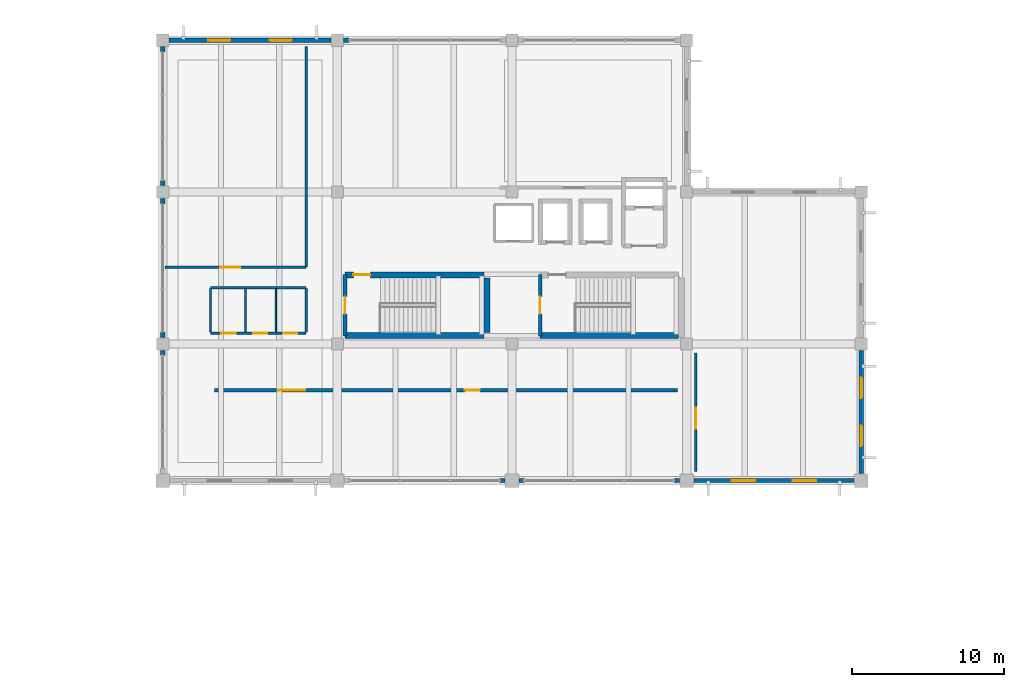
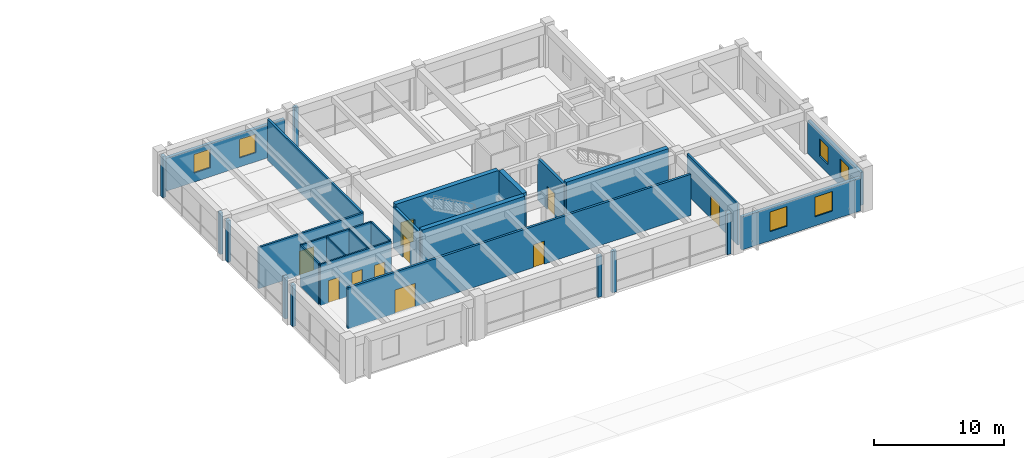
# One storey, part 28 of 33: 28 walls, 10 doors, 6 windows, 16 openings.
"""IFC4 building model written with IfcOpenShell, lengths in metres."""

from ifc_helpers import new_model, si_unit, direction, frame, frame_2d, origin, place, context, subcontext, project, spatial, rectangle, extrude, material, layer, layer_set, type_object, element, fill, save


model = new_model("IFC4")

# Units and contexts
model_context = context("Model", 3, precision=1e-05, world=origin(), true_north=direction((0.0, 1.0)))
body_context = subcontext(model_context, "Body", "Model", "MODEL_VIEW")
ifc_project = project(units=[si_unit("LENGTHUNIT", "METRE"), si_unit("AREAUNIT", "SQUARE_METRE"), si_unit("VOLUMEUNIT", "CUBIC_METRE"), si_unit("PLANEANGLEUNIT", "RADIAN"), si_unit("MASSUNIT", "GRAM", prefix="KILO")], contexts=[model_context])

# Site, building, storey
site_placement = place(None, origin())
site = spatial("IfcSite", under=ifc_project, at=site_placement, CompositionType="ELEMENT")
building_placement = place(site_placement, origin())
building = spatial("IfcBuilding", under=site, at=building_placement, Name="Ologun Quay Terminus", CompositionType="ELEMENT")
storey_placement = place(building_placement, frame((0.0, 0.0, 18.300048828125)))
storey = spatial("IfcBuildingStorey", under=building, at=storey_placement, Name="L04", CompositionType="ELEMENT", Elevation=18.300048828125)

# Wall, opening, door
ifc_material_1 = material(Name="Gypsum Acoustic Stud")
ifc_layer_1 = layer(ifc_material_1, 0.14990234375)
ifc_layer_set_1 = layer_set([ifc_layer_1], Name="Gypsum Acoustic Stud")
wall_type_1 = type_object("IfcWallType", Name="Community & Reading Room Partition 150", PredefinedType="PARTITIONING", material=ifc_layer_set_1)
wall_1_placement = place(storey_placement, frame((150.10009765625, 86.39990234375, 0.0), z_axis=(0.0, 0.0, 1.0), x_axis=(0.0, 1.0, 0.0)))
wall_1 = element("IfcWall", 1, at=wall_1_placement, inside=storey, type_object=wall_type_1, Name="PW-05 Partition L04-MedicalClinic-W", PredefinedType="PARTITIONING", context=body_context, shape_type="SweptSolid", body=[
    extrude(rectangle(XDim=7.800048828125, YDim=0.14990234375, at=frame_2d((3.89990234375, 0.0))), origin(), (0.0, 0.0, 1.0), 3.8798828125),
])
opening_1_placement = place(wall_1_placement, frame((2.800048828125, 0.0, 0.0)))
opening_1 = element("IfcOpeningElement", 2, at=opening_1_placement, cuts=wall_1, Name="Opening ID-336", PredefinedType="OPENING", context=body_context, shape_type="SweptSolid", body=[
    extrude(rectangle(XDim=1.39990234375, YDim=2.14990234375, at=frame_2d((0.699951171875, 1.074951171875))), frame((0.0, 0.0849609375, 0.0), z_axis=(0.0, -1.0, 0.0), x_axis=(1.0, 0.0, 0.0)), (0.0, 0.0, 1.0), 0.169921875),
])
ifc_material_2 = material(Name="Timber Hardwood", Category="wood")
door_type_1 = type_object("IfcDoorType", Name="Medical Clinic Stretcher Door 1400x2150", OperationType="SINGLE_SWING_RIGHT", PredefinedType="DOOR", material=ifc_material_2)
door_1_placement = place(opening_1_placement, origin())
door_1 = element("IfcDoor", 3, at=door_1_placement, inside=storey, type_object=door_type_1, Name="ID-15 Door ID-336", OperationType="SINGLE_SWING_RIGHT", OverallHeight=2.14990234375, OverallWidth=1.39990234375, PredefinedType="DOOR", context=body_context, shape_type="SweptSolid", body=[
    extrude(rectangle(XDim=1.39990234375, YDim=2.14990234375, at=frame_2d((0.699951171875, 1.074951171875))), frame((0.0, 0.02490234375, 0.0), z_axis=(0.0, -1.0, 0.0), x_axis=(1.0, 0.0, 0.0)), (0.0, 0.0, 1.0), 0.050048828125),
])
fill(opening_1, door_1)

# Wall, openings, doors
ifc_material_3 = material(Name="Concrete C40/50", Category="concrete")
ifc_layer_2 = layer(ifc_material_3, 0.199951171875)
ifc_layer_set_2 = layer_set([ifc_layer_2], Name="Concrete C40/50")
wall_type_2 = type_object("IfcWallType", Name="Corridor Fire-Rated Partition 200", PredefinedType="PARTITIONING", material=ifc_layer_set_2)
wall_2_placement = place(storey_placement, frame((118.39990234375, 91.75, 0.0), z_axis=(0.0, 0.0, 1.0), x_axis=(1.0, 0.0, 0.0)))
wall_2 = element("IfcWall", 4, at=wall_2_placement, inside=storey, type_object=wall_type_2, Name="PW-02 Partition ECor-S", PredefinedType="PARTITIONING", context=body_context, shape_type="SweptSolid", body=[
    extrude(rectangle(XDim=30.5, YDim=0.199951171875, at=frame_2d((15.25, 0.0))), origin(), (0.0, 0.0, 1.0), 3.8798828125),
])
opening_2_placement = place(wall_2_placement, frame((4.199951171875, 0.0, 0.0)))
opening_2 = element("IfcOpeningElement", 5, at=opening_2_placement, cuts=wall_2, Name="Opening ID-218", PredefinedType="OPENING", context=body_context, shape_type="SweptSolid", body=[
    extrude(rectangle(XDim=1.800048828125, YDim=2.199951171875, at=frame_2d((0.89990234375, 1.10009765625))), frame((0.0, 0.10986328125, 0.0), z_axis=(0.0, -1.0, 0.0), x_axis=(1.0, 0.0, 0.0)), (0.0, 0.0, 1.0), 0.219970703125),
])
opening_3_placement = place(wall_2_placement, frame((16.5, 0.0, 0.0)))
opening_3 = element("IfcOpeningElement", 6, at=opening_3_placement, cuts=wall_2, Name="Opening ID-219", PredefinedType="OPENING", context=body_context, shape_type="SweptSolid", body=[
    extrude(rectangle(XDim=0.97998046875, YDim=2.14990234375, at=frame_2d((0.489990234375, 1.074951171875))), frame((0.0, 0.10986328125, 0.0), z_axis=(0.0, -1.0, 0.0), x_axis=(1.0, 0.0, 0.0)), (0.0, 0.0, 1.0), 0.219970703125),
])
ifc_material_4 = material(Name="Steel S355", Category="steel")
door_type_2 = type_object("IfcDoorType", Name="Corridor Compartment Pair 1800x2200", OperationType="DOUBLE_DOOR_SINGLE_SWING", PredefinedType="DOOR", material=ifc_material_4)
door_2_placement = place(opening_2_placement, origin())
door_2 = element("IfcDoor", 7, at=door_2_placement, inside=storey, type_object=door_type_2, Name="FD-03 Door ID-218", OperationType="DOUBLE_DOOR_SINGLE_SWING", OverallHeight=2.199951171875, OverallWidth=1.800048828125, PredefinedType="DOOR", context=body_context, shape_type="SweptSolid", body=[
    extrude(rectangle(XDim=1.800048828125, YDim=2.199951171875, at=frame_2d((0.89990234375, 1.10009765625))), frame((0.0, 0.02490234375, 0.0), z_axis=(0.0, -1.0, 0.0), x_axis=(1.0, 0.0, 0.0)), (0.0, 0.0, 1.0), 0.050048828125),
])
fill(opening_2, door_2)
ifc_material_5 = material(Name="Timber Hardwood", Category="wood")
door_type_3 = type_object("IfcDoorType", Name="Operations Room Acoustic Leaf 980x2150", OperationType="SINGLE_SWING_LEFT", PredefinedType="DOOR", material=ifc_material_5)
door_3_placement = place(opening_3_placement, origin())
door_3 = element("IfcDoor", 8, at=door_3_placement, inside=storey, type_object=door_type_3, Name="ID-01 Door ID-219", OperationType="SINGLE_SWING_LEFT", OverallHeight=2.14990234375, OverallWidth=0.97998046875, PredefinedType="DOOR", context=body_context, shape_type="SweptSolid", body=[
    extrude(rectangle(XDim=0.97998046875, YDim=2.14990234375, at=frame_2d((0.489990234375, 1.074951171875))), frame((0.0, 0.02490234375, 0.0), z_axis=(0.0, -1.0, 0.0), x_axis=(1.0, 0.0, 0.0)), (0.0, 0.0, 1.0), 0.050048828125),
])
fill(opening_3, door_3)

# Wall
ifc_material_6 = material(Name="Concrete C40/50", Category="concrete")
ifc_layer_3 = layer(ifc_material_6, 0.39990234375)
ifc_layer_set_3 = layer_set([ifc_layer_3], Name="Concrete C40/50")
wall_type_3 = type_object("IfcWallType", Name="Coupled Wing Upper Core Shear Wall 400", PredefinedType="SHEAR", material=ifc_layer_set_3)
wall_3_placement = place(storey_placement, frame((127.0, 95.35009765625, 0.0), z_axis=(0.0, 0.0, 1.0), x_axis=(1.0, 0.0, 0.0)))
element("IfcWall", 9, at=wall_3_placement, inside=storey, type_object=wall_type_3, Name="EC1 Core South Shear Wall L04", PredefinedType="SHEAR", context=body_context, shape_type="SweptSolid", body=[
    extrude(rectangle(XDim=9.14990234375, YDim=0.39990234375, at=frame_2d((4.574951171875, 0.0))), origin(), (0.0, 0.0, 1.0), 4.159912109375),
])

# Wall, opening, door
wall_4_placement = place(storey_placement, frame((127.0, 99.35009765625, 0.0), z_axis=(0.0, 0.0, 1.0), x_axis=(1.0, 0.0, 0.0)))
wall_4 = element("IfcWall", 10, at=wall_4_placement, inside=storey, type_object=wall_type_3, Name="EC1 Core North Shear Wall L04", PredefinedType="SHEAR", context=body_context, shape_type="SweptSolid", body=[
    extrude(rectangle(XDim=9.14990234375, YDim=0.39990234375, at=frame_2d((4.574951171875, 0.0))), origin(), (0.0, 0.0, 1.0), 4.159912109375),
])
opening_4_placement = place(wall_4_placement, frame((0.550048828125, 0.0, 0.0)))
opening_4 = element("IfcOpeningElement", 11, at=opening_4_placement, cuts=wall_4, Name="Opening ID-210", PredefinedType="OPENING", context=body_context, shape_type="SweptSolid", body=[
    extrude(rectangle(XDim=1.1298828125, YDim=2.14990234375, at=frame_2d((0.56494140625, 1.074951171875))), frame((0.0, 0.2099609375, 0.0), z_axis=(0.0, -1.0, 0.0), x_axis=(1.0, 0.0, 0.0)), (0.0, 0.0, 1.0), 0.419921875),
])
ifc_material_7 = material(Name="Steel S355", Category="steel")
door_type_4 = type_object("IfcDoorType", Name="Stairwell Fire Escape Door 1130x2150", OperationType="SINGLE_SWING_LEFT", PredefinedType="DOOR", material=ifc_material_7)
door_4_placement = place(opening_4_placement, frame((0.56494140625, 0.0, 0.0), z_axis=(0.0, 0.0, 1.0), x_axis=(-1.0, 0.0, 0.0)))
door_4 = element("IfcDoor", 12, at=door_4_placement, inside=storey, type_object=door_type_4, Name="FD-01 Door ID-210", OperationType="SINGLE_SWING_LEFT", OverallHeight=2.14990234375, OverallWidth=1.1298828125, PredefinedType="DOOR", context=body_context, shape_type="SweptSolid", body=[
    extrude(rectangle(XDim=1.1298828125, YDim=2.14990234375, at=frame_2d((0.0, 1.074951171875))), frame((0.0, 0.02490234375, 0.0), z_axis=(0.0, -1.0, 0.0), x_axis=(1.0, 0.0, 0.0)), (0.0, 0.0, 1.0), 0.050048828125),
])
fill(opening_4, door_4)

# Walls
wall_5_placement = place(storey_placement, frame((136.35009765625, 95.550048828125, 0.0), z_axis=(0.0, 0.0, 1.0), x_axis=(0.0, 1.0, 0.0)))
element("IfcWall", 13, at=wall_5_placement, inside=storey, type_object=wall_type_3, Name="EC1 Core East Shear Wall L04", PredefinedType="SHEAR", context=body_context, shape_type="SweptSolid", body=[
    extrude(rectangle(XDim=3.599853515625, YDim=0.39990234375, at=frame_2d((1.7998046875, 0.0))), origin(), (0.0, 0.0, 1.0), 4.159912109375),
])
wall_6_placement = place(storey_placement, frame((139.85009765625, 95.35009765625, 0.0), z_axis=(0.0, 0.0, 1.0), x_axis=(1.0, 0.0, 0.0)))
element("IfcWall", 14, at=wall_6_placement, inside=storey, type_object=wall_type_3, Name="EC2 Core South Shear Wall L04", PredefinedType="SHEAR", context=body_context, shape_type="SweptSolid", body=[
    extrude(rectangle(XDim=9.099853515625, YDim=0.39990234375, at=frame_2d((4.5498046875, 0.0))), origin(), (0.0, 0.0, 1.0), 4.159912109375),
])
ifc_material_8 = material(Name="Concrete C40/50", Category="concrete")
ifc_layer_4 = layer(ifc_material_8, 0.280029296875)
ifc_layer_set_4 = layer_set([ifc_layer_4], Name="Concrete C40/50")
wall_type_4 = type_object("IfcWallType", Name="Courtyard Wing Spandrel Concrete Wall 280", PredefinedType="SOLIDWALL", material=ifc_layer_set_4)
for number, where, z_axis, x_axis, name in (
    (15, (137.179931640625, 85.800048828125, 0.0), (0.0, 0.0, 1.0), (1.0, 0.0, 0.0), "Curtain Wall Jamb Pier CW-L04-145-J2"),
    (16, (138.469970703125, 85.800048828125, 0.0), (0.0, 0.0, 1.0), (1.0, 0.0, 0.0), "Curtain Wall Jamb Pier CW-L04-146-J1"),
    (17, (148.679931640625, 85.800048828125, 0.0), (0.0, 0.0, 1.0), (1.0, 0.0, 0.0), "Curtain Wall Jamb Pier CW-L04-146-J2"),
):
    element("IfcWall", number, at=place(storey_placement, frame(where, z_axis=z_axis, x_axis=x_axis)), inside=storey, type_object=wall_type_4, Name=name, PredefinedType="SOLIDWALL", context=body_context, shape_type="SweptSolid", body=[
        extrude(rectangle(XDim=0.35009765625, YDim=0.280029296875, at=frame_2d((0.175048828125, 0.0))), origin(), (0.0, 0.0, 1.0), 3.889892578125),
    ])

# Wall, openings, windows
wall_7_placement = place(storey_placement, frame((149.969970703125, 85.800048828125, 0.0), z_axis=(0.0, 0.0, 1.0), x_axis=(1.0, 0.0, 0.0)))
wall_7 = element("IfcWall", 18, at=wall_7_placement, inside=storey, type_object=wall_type_4, Name="EW-02 Facade Wall WEW-EW-L04-4", PredefinedType="SOLIDWALL", context=body_context, shape_type="SweptSolid", body=[
    extrude(rectangle(XDim=10.56005859375, YDim=0.280029296875, at=frame_2d((5.280029296875, 0.0))), origin(), (0.0, 0.0, 1.0), 3.099853515625),
])
opening_5_placement = place(wall_7_placement, frame((2.48681640625, 0.0, 0.85009765625)))
opening_5 = element("IfcOpeningElement", 19, at=opening_5_placement, cuts=wall_7, Name="Opening WN-430", PredefinedType="OPENING", context=body_context, shape_type="SweptSolid", body=[
    extrude(rectangle(XDim=1.550048828125, YDim=1.85009765625, at=frame_2d((0.77490234375, 0.925048828125))), frame((0.0, 0.14990234375, 0.0), z_axis=(0.0, -1.0, 0.0), x_axis=(1.0, 0.0, 0.0)), (0.0, 0.0, 1.0), 0.300048828125),
])
opening_6_placement = place(wall_7_placement, frame((6.523193359375, 0.0, 0.85009765625)))
opening_6 = element("IfcOpeningElement", 20, at=opening_6_placement, cuts=wall_7, Name="Opening WN-431", PredefinedType="OPENING", context=body_context, shape_type="SweptSolid", body=[
    extrude(rectangle(XDim=1.550048828125, YDim=1.85009765625, at=frame_2d((0.77490234375, 0.925048828125))), frame((0.0, 0.14990234375, 0.0), z_axis=(0.0, -1.0, 0.0), x_axis=(1.0, 0.0, 0.0)), (0.0, 0.0, 1.0), 0.300048828125),
])
ifc_material_9 = material(Name="Glass", Category="glass")
window_type_1 = type_object("IfcWindowType", Name="Emergency Centre Blast-Laminated Window 1550x1850", PartitioningType="SINGLE_PANEL", PredefinedType="WINDOW", material=ifc_material_9)
window_1_placement = place(opening_5_placement, origin())
window_1 = element("IfcWindow", 21, at=window_1_placement, inside=storey, type_object=window_type_1, Name="W-23 Window WN-430", OverallHeight=1.85009765625, OverallWidth=1.550048828125, PartitioningType="SINGLE_PANEL", PredefinedType="WINDOW", context=body_context, shape_type="SweptSolid", body=[
    extrude(rectangle(XDim=1.550048828125, YDim=1.85009765625, at=frame_2d((0.77490234375, 0.925048828125))), frame((0.0, 0.030029296875, 0.0), z_axis=(0.0, -1.0, 0.0), x_axis=(1.0, 0.0, 0.0)), (0.0, 0.0, 1.0), 0.06005859375),
])
fill(opening_5, window_1)
window_2_placement = place(opening_6_placement, origin())
window_2 = element("IfcWindow", 22, at=window_2_placement, inside=storey, type_object=window_type_1, Name="W-23 Window WN-431", OverallHeight=1.85009765625, OverallWidth=1.550048828125, PartitioningType="SINGLE_PANEL", PredefinedType="WINDOW", context=body_context, shape_type="SweptSolid", body=[
    extrude(rectangle(XDim=1.550048828125, YDim=1.85009765625, at=frame_2d((0.77490234375, 0.925048828125))), frame((0.0, 0.030029296875, 0.0), z_axis=(0.0, -1.0, 0.0), x_axis=(1.0, 0.0, 0.0)), (0.0, 0.0, 1.0), 0.06005859375),
])
fill(opening_6, window_2)

wall_8_placement = place(storey_placement, frame((161.0, 86.27001953125, 0.0), z_axis=(0.0, 0.0, 1.0), x_axis=(0.0, 1.0, 0.0)))
wall_8 = element("IfcWall", 23, at=wall_8_placement, inside=storey, type_object=wall_type_4, Name="EW-02 Facade Wall WEW-EW-L04-5", PredefinedType="SOLIDWALL", context=body_context, shape_type="SweptSolid", body=[
    extrude(rectangle(XDim=8.10986328125, YDim=0.280029296875, at=frame_2d((4.054931640625, 0.0))), origin(), (0.0, 0.0, 1.0), 3.099853515625),
])
opening_7_placement = place(wall_8_placement, frame((1.80322265625, 0.0, 0.85009765625)))
opening_7 = element("IfcOpeningElement", 24, at=opening_7_placement, cuts=wall_8, Name="Opening WN-432", PredefinedType="OPENING", context=body_context, shape_type="SweptSolid", body=[
    extrude(rectangle(XDim=1.35009765625, YDim=1.64990234375, at=frame_2d((0.675048828125, 0.824951171875))), frame((0.0, 0.14990234375, 0.0), z_axis=(0.0, -1.0, 0.0), x_axis=(1.0, 0.0, 0.0)), (0.0, 0.0, 1.0), 0.300048828125),
])
opening_8_placement = place(wall_8_placement, frame((4.956787109375, 0.0, 0.85009765625)))
opening_8 = element("IfcOpeningElement", 25, at=opening_8_placement, cuts=wall_8, Name="Opening WN-433", PredefinedType="OPENING", context=body_context, shape_type="SweptSolid", body=[
    extrude(rectangle(XDim=1.35009765625, YDim=1.64990234375, at=frame_2d((0.675048828125, 0.824951171875))), frame((0.0, 0.14990234375, 0.0), z_axis=(0.0, -1.0, 0.0), x_axis=(1.0, 0.0, 0.0)), (0.0, 0.0, 1.0), 0.300048828125),
])
ifc_material_10 = material(Name="Glass", Category="glass")
window_type_2 = type_object("IfcWindowType", Name="Medical Clinic Frosted Window 1350x1650", PartitioningType="SINGLE_PANEL", PredefinedType="WINDOW", material=ifc_material_10)
window_3_placement = place(opening_7_placement, origin())
window_3 = element("IfcWindow", 26, at=window_3_placement, inside=storey, type_object=window_type_2, Name="W-25 Window WN-432", OverallHeight=1.64990234375, OverallWidth=1.35009765625, PartitioningType="SINGLE_PANEL", PredefinedType="WINDOW", context=body_context, shape_type="SweptSolid", body=[
    extrude(rectangle(XDim=1.35009765625, YDim=1.64990234375, at=frame_2d((0.675048828125, 0.824951171875))), frame((0.0, 0.030029296875, 0.0), z_axis=(0.0, -1.0, 0.0), x_axis=(1.0, 0.0, 0.0)), (0.0, 0.0, 1.0), 0.06005859375),
])
fill(opening_7, window_3)
window_4_placement = place(opening_8_placement, origin())
window_4 = element("IfcWindow", 27, at=window_4_placement, inside=storey, type_object=window_type_2, Name="W-25 Window WN-433", OverallHeight=1.64990234375, OverallWidth=1.35009765625, PartitioningType="SINGLE_PANEL", PredefinedType="WINDOW", context=body_context, shape_type="SweptSolid", body=[
    extrude(rectangle(XDim=1.35009765625, YDim=1.64990234375, at=frame_2d((0.675048828125, 0.824951171875))), frame((0.0, 0.030029296875, 0.0), z_axis=(0.0, -1.0, 0.0), x_axis=(1.0, 0.0, 0.0)), (0.0, 0.0, 1.0), 0.06005859375),
])
fill(opening_8, window_4)

wall_9_placement = place(storey_placement, frame((115.419921875, 114.800048828125, 0.0), z_axis=(0.0, 0.0, 1.0), x_axis=(1.0, 0.0, 0.0)))
wall_9 = element("IfcWall", 28, at=wall_9_placement, inside=storey, type_object=wall_type_4, Name="EW-02 Facade Wall WEW-EW-L04-9", PredefinedType="SOLIDWALL", context=body_context, shape_type="SweptSolid", body=[
    extrude(rectangle(XDim=10.66015625, YDim=0.280029296875, at=frame_2d((5.330078125, 0.0))), origin(), (0.0, 0.0, 1.0), 3.099853515625),
])
opening_9_placement = place(wall_9_placement, frame((2.586669921875, 0.0, 0.85009765625)))
opening_9 = element("IfcOpeningElement", 29, at=opening_9_placement, cuts=wall_9, Name="Opening WN-440", PredefinedType="OPENING", context=body_context, shape_type="SweptSolid", body=[
    extrude(rectangle(XDim=1.449951171875, YDim=1.75, at=frame_2d((0.72509765625, 0.875))), frame((0.0, 0.14990234375, 0.0), z_axis=(0.0, -1.0, 0.0), x_axis=(1.0, 0.0, 0.0)), (0.0, 0.0, 1.0), 0.300048828125),
])
opening_10_placement = place(wall_9_placement, frame((6.623291015625, 0.0, 0.85009765625)))
opening_10 = element("IfcOpeningElement", 30, at=opening_10_placement, cuts=wall_9, Name="Opening WN-441", PredefinedType="OPENING", context=body_context, shape_type="SweptSolid", body=[
    extrude(rectangle(XDim=1.449951171875, YDim=1.75, at=frame_2d((0.72509765625, 0.875))), frame((0.0, 0.14990234375, 0.0), z_axis=(0.0, -1.0, 0.0), x_axis=(1.0, 0.0, 0.0)), (0.0, 0.0, 1.0), 0.300048828125),
])
ifc_material_11 = material(Name="Glass", Category="glass")
window_type_3 = type_object("IfcWindowType", Name="Simulator Suite Shaded Window 1450x1750", PartitioningType="SINGLE_PANEL", PredefinedType="WINDOW", material=ifc_material_11)
window_5_placement = place(opening_9_placement, origin())
window_5 = element("IfcWindow", 31, at=window_5_placement, inside=storey, type_object=window_type_3, Name="W-24 Window WN-440", OverallHeight=1.75, OverallWidth=1.449951171875, PartitioningType="SINGLE_PANEL", PredefinedType="WINDOW", context=body_context, shape_type="SweptSolid", body=[
    extrude(rectangle(XDim=1.449951171875, YDim=1.75, at=frame_2d((0.72509765625, 0.875))), frame((0.0, 0.030029296875, 0.0), z_axis=(0.0, -1.0, 0.0), x_axis=(1.0, 0.0, 0.0)), (0.0, 0.0, 1.0), 0.06005859375),
])
fill(opening_9, window_5)
window_6_placement = place(opening_10_placement, origin())
window_6 = element("IfcWindow", 32, at=window_6_placement, inside=storey, type_object=window_type_3, Name="W-24 Window WN-441", OverallHeight=1.75, OverallWidth=1.449951171875, PartitioningType="SINGLE_PANEL", PredefinedType="WINDOW", context=body_context, shape_type="SweptSolid", body=[
    extrude(rectangle(XDim=1.449951171875, YDim=1.75, at=frame_2d((0.72509765625, 0.875))), frame((0.0, 0.030029296875, 0.0), z_axis=(0.0, -1.0, 0.0), x_axis=(1.0, 0.0, 0.0)), (0.0, 0.0, 1.0), 0.06005859375),
])
fill(opening_10, window_6)

# Walls
wall_10_placement = place(storey_placement, frame((126.919921875, 114.800048828125, 0.0), z_axis=(0.0, 0.0, 1.0), x_axis=(1.0, 0.0, 0.0)))
element("IfcWall", 33, at=wall_10_placement, inside=storey, type_object=wall_type_4, Name="Curtain Wall Jamb Pier CW-L04-147-J1", PredefinedType="SOLIDWALL", context=body_context, shape_type="SweptSolid", body=[
    extrude(rectangle(XDim=0.35009765625, YDim=0.280029296875, at=frame_2d((0.175048828125, 0.0))), origin(), (0.0, 0.0, 1.0), 3.889892578125),
])
wall_11_placement = place(storey_placement, frame((115.0, 94.030029296875, 0.0), z_axis=(0.0, 0.0, 1.0), x_axis=(0.0, 1.0, 0.0)))
element("IfcWall", 34, at=wall_11_placement, inside=storey, type_object=wall_type_4, Name="Curtain Wall Jamb Pier CW-L04-149-J2", PredefinedType="SOLIDWALL", context=body_context, shape_type="SweptSolid", body=[
    extrude(rectangle(XDim=0.349853515625, YDim=0.280029296875, at=frame_2d((0.1748046875, 0.0))), origin(), (0.0, 0.0, 1.0), 3.889892578125),
])
wall_12_placement = place(storey_placement, frame((115.0, 95.219970703125, 0.0), z_axis=(0.0, 0.0, 1.0), x_axis=(0.0, 1.0, 0.0)))
element("IfcWall", 35, at=wall_12_placement, inside=storey, type_object=wall_type_4, Name="Curtain Wall Jamb Pier CW-L04-150-J1", PredefinedType="SOLIDWALL", context=body_context, shape_type="SweptSolid", body=[
    extrude(rectangle(XDim=0.35009765625, YDim=0.280029296875, at=frame_2d((0.175048828125, 0.0))), origin(), (0.0, 0.0, 1.0), 3.889892578125),
])
wall_13_placement = place(storey_placement, frame((115.0, 104.030029296875, 0.0), z_axis=(0.0, 0.0, 1.0), x_axis=(0.0, 1.0, 0.0)))
element("IfcWall", 36, at=wall_13_placement, inside=storey, type_object=wall_type_4, Name="Curtain Wall Jamb Pier CW-L04-150-J2", PredefinedType="SOLIDWALL", context=body_context, shape_type="SweptSolid", body=[
    extrude(rectangle(XDim=0.349853515625, YDim=0.280029296875, at=frame_2d((0.1748046875, 0.0))), origin(), (0.0, 0.0, 1.0), 3.889892578125),
])
wall_14_placement = place(storey_placement, frame((115.0, 105.219970703125, 0.0), z_axis=(0.0, 0.0, 1.0), x_axis=(0.0, 1.0, 0.0)))
element("IfcWall", 37, at=wall_14_placement, inside=storey, type_object=wall_type_4, Name="Curtain Wall Jamb Pier CW-L04-151-J1", PredefinedType="SOLIDWALL", context=body_context, shape_type="SweptSolid", body=[
    extrude(rectangle(XDim=0.35009765625, YDim=0.280029296875, at=frame_2d((0.175048828125, 0.0))), origin(), (0.0, 0.0, 1.0), 3.889892578125),
])
wall_15_placement = place(storey_placement, frame((115.0, 114.030029296875, 0.0), z_axis=(0.0, 0.0, 1.0), x_axis=(0.0, 1.0, 0.0)))
element("IfcWall", 38, at=wall_15_placement, inside=storey, type_object=wall_type_4, Name="Curtain Wall Jamb Pier CW-L04-151-J2", PredefinedType="SOLIDWALL", context=body_context, shape_type="SweptSolid", body=[
    extrude(rectangle(XDim=0.349853515625, YDim=0.280029296875, at=frame_2d((0.1748046875, 0.0))), origin(), (0.0, 0.0, 1.0), 3.889892578125),
])

# Wall, opening, door
ifc_material_12 = material(Name="Concrete C40/50", Category="concrete")
ifc_layer_5 = layer(ifc_material_12, 0.239990234375)
ifc_layer_set_5 = layer_set([ifc_layer_5], Name="Concrete C40/50")
wall_type_5 = type_object("IfcWallType", Name="Fire Compartment Blockwork Wall 240", PredefinedType="SOLIDWALL", material=ifc_layer_set_5)
wall_16_placement = place(storey_placement, frame((127.0, 95.330078125, 0.0), z_axis=(0.0, 0.0, 1.0), x_axis=(0.0, 1.0, 0.0)))
wall_16 = element("IfcWall", 39, at=wall_16_placement, inside=storey, type_object=wall_type_5, Name="PW-01 Partition EStair1-W", PredefinedType="SOLIDWALL", context=body_context, shape_type="SweptSolid", body=[
    extrude(rectangle(XDim=4.0400390625, YDim=0.239990234375, at=frame_2d((2.02001953125, 0.0))), origin(), (0.0, 0.0, 1.0), 3.8798828125),
])
opening_11_placement = place(wall_16_placement, frame((1.449951171875, 0.0, 0.0)))
opening_11 = element("IfcOpeningElement", 40, at=opening_11_placement, cuts=wall_16, Name="Opening ID-209", PredefinedType="OPENING", context=body_context, shape_type="SweptSolid", body=[
    extrude(rectangle(XDim=1.1298828125, YDim=2.14990234375, at=frame_2d((0.56494140625, 1.074951171875))), frame((0.0, 0.1298828125, 0.0), z_axis=(0.0, -1.0, 0.0), x_axis=(1.0, 0.0, 0.0)), (0.0, 0.0, 1.0), 0.260009765625),
])
door_5_placement = place(opening_11_placement, frame((0.56494140625, 0.0, 0.0), z_axis=(0.0, 0.0, 1.0), x_axis=(-1.0, 0.0, 0.0)))
door_5 = element("IfcDoor", 41, at=door_5_placement, inside=storey, type_object=door_type_4, Name="FD-01 Door ID-209", OperationType="SINGLE_SWING_LEFT", OverallHeight=2.14990234375, OverallWidth=1.1298828125, PredefinedType="DOOR", context=body_context, shape_type="SweptSolid", body=[
    extrude(rectangle(XDim=1.1298828125, YDim=2.14990234375, at=frame_2d((0.0, 1.074951171875))), frame((0.0, 0.02490234375, 0.0), z_axis=(0.0, -1.0, 0.0), x_axis=(1.0, 0.0, 0.0)), (0.0, 0.0, 1.0), 0.050048828125),
])
fill(opening_11, door_5)

wall_17_placement = place(storey_placement, frame((139.85009765625, 95.330078125, 0.0), z_axis=(0.0, 0.0, 1.0), x_axis=(0.0, 1.0, 0.0)))
wall_17 = element("IfcWall", 42, at=wall_17_placement, inside=storey, type_object=wall_type_5, Name="PW-01 Partition EStair2-W", PredefinedType="SOLIDWALL", context=body_context, shape_type="SweptSolid", body=[
    extrude(rectangle(XDim=4.0400390625, YDim=0.239990234375, at=frame_2d((2.02001953125, 0.0))), origin(), (0.0, 0.0, 1.0), 3.8798828125),
])
opening_12_placement = place(wall_17_placement, frame((1.449951171875, 0.0, 0.0)))
opening_12 = element("IfcOpeningElement", 43, at=opening_12_placement, cuts=wall_17, Name="Opening ID-211", PredefinedType="OPENING", context=body_context, shape_type="SweptSolid", body=[
    extrude(rectangle(XDim=1.1298828125, YDim=2.14990234375, at=frame_2d((0.56494140625, 1.074951171875))), frame((0.0, 0.1298828125, 0.0), z_axis=(0.0, -1.0, 0.0), x_axis=(1.0, 0.0, 0.0)), (0.0, 0.0, 1.0), 0.260009765625),
])
door_6_placement = place(opening_12_placement, frame((0.56494140625, 0.0, 0.0), z_axis=(0.0, 0.0, 1.0), x_axis=(-1.0, 0.0, 0.0)))
door_6 = element("IfcDoor", 44, at=door_6_placement, inside=storey, type_object=door_type_4, Name="FD-01 Door ID-211", OperationType="SINGLE_SWING_LEFT", OverallHeight=2.14990234375, OverallWidth=1.1298828125, PredefinedType="DOOR", context=body_context, shape_type="SweptSolid", body=[
    extrude(rectangle(XDim=1.1298828125, YDim=2.14990234375, at=frame_2d((0.0, 1.074951171875))), frame((0.0, 0.02490234375, 0.0), z_axis=(0.0, -1.0, 0.0), x_axis=(1.0, 0.0, 0.0)), (0.0, 0.0, 1.0), 0.050048828125),
])
fill(opening_12, door_6)

# Walls
ifc_material_13 = material(Name="Gypsum Acoustic Stud")
ifc_layer_6 = layer(ifc_material_13, 0.10498046875)
ifc_layer_set_6 = layer_set([ifc_layer_6], Name="Gypsum Acoustic Stud")
wall_type_6 = type_object("IfcWallType", Name="Light Cubicle Partition 105", PredefinedType="PARTITIONING", material=ifc_layer_set_6)
for number, where, z_axis, x_axis, name in (
    (45, (120.449951171875, 95.60009765625, 0.0), (0.0, 0.0, 1.0), (0.0, 1.0, 0.0), "PW-13 Partition EWC-D1"),
    (46, (122.449951171875, 95.60009765625, 0.0), (0.0, 0.0, 1.0), (0.0, 1.0, 0.0), "PW-13 Partition EWC-D2"),
):
    element("IfcWall", number, at=place(storey_placement, frame(where, z_axis=z_axis, x_axis=x_axis)), inside=storey, type_object=wall_type_6, Name=name, PredefinedType="PARTITIONING", context=body_context, shape_type="SweptSolid", body=[
        extrude(rectangle(XDim=2.849853515625, YDim=0.10498046875, at=frame_2d((1.4248046875, 0.0))), origin(), (0.0, 0.0, 1.0), 3.8798828125),
    ])

# Wall, opening, door
ifc_material_14 = material(Name="Gypsum Acoustic Stud")
ifc_layer_7 = layer(ifc_material_14, 0.175048828125)
ifc_layer_set_7 = layer_set([ifc_layer_7], Name="Gypsum Acoustic Stud")
wall_type_7 = type_object("IfcWallType", Name="Operations & Control Acoustic Partition 175", PredefinedType="PARTITIONING", material=ifc_layer_set_7)
wall_18_placement = place(storey_placement, frame((115.159912109375, 99.85009765625, 0.0), z_axis=(0.0, 0.0, 1.0), x_axis=(1.0, 0.0, 0.0)))
wall_18 = element("IfcWall", 47, at=wall_18_placement, inside=storey, type_object=wall_type_7, Name="PW-03 Partition L04-EmergencyCtr-E", PredefinedType="PARTITIONING", context=body_context, shape_type="SweptSolid", body=[
    extrude(rectangle(XDim=9.2900390625, YDim=0.175048828125, at=frame_2d((4.64501953125, 0.0))), origin(), (0.0, 0.0, 1.0), 3.8798828125),
])
opening_13_placement = place(wall_18_placement, frame((3.639892578125, 0.0, 0.0)))
opening_13 = element("IfcOpeningElement", 48, at=opening_13_placement, cuts=wall_18, Name="Opening ID-334", PredefinedType="OPENING", context=body_context, shape_type="SweptSolid", body=[
    extrude(rectangle(XDim=1.300048828125, YDim=2.199951171875, at=frame_2d((0.64990234375, 1.10009765625))), frame((0.0, 0.09765625, 0.0), z_axis=(0.0, -1.0, 0.0), x_axis=(1.0, 0.0, 0.0)), (0.0, 0.0, 1.0), 0.195068359375),
])
ifc_material_15 = material(Name="Steel S355", Category="steel")
door_type_5 = type_object("IfcDoorType", Name="Traffic Control Security Door 1300x2200", OperationType="SINGLE_SWING_LEFT", PredefinedType="DOOR", material=ifc_material_15)
door_7_placement = place(opening_13_placement, origin())
door_7 = element("IfcDoor", 49, at=door_7_placement, inside=storey, type_object=door_type_5, Name="ID-09 Door ID-334", OperationType="SINGLE_SWING_LEFT", OverallHeight=2.199951171875, OverallWidth=1.300048828125, PredefinedType="DOOR", context=body_context, shape_type="SweptSolid", body=[
    extrude(rectangle(XDim=1.300048828125, YDim=2.199951171875, at=frame_2d((0.64990234375, 1.10009765625))), frame((0.0, 0.02490234375, 0.0), z_axis=(0.0, -1.0, 0.0), x_axis=(1.0, 0.0, 0.0)), (0.0, 0.0, 1.0), 0.050048828125),
])
fill(opening_13, door_7)

# Wall
wall_19_placement = place(storey_placement, frame((124.449951171875, 99.85009765625, 0.0), z_axis=(0.0, 0.0, 1.0), x_axis=(0.0, 1.0, 0.0)))
element("IfcWall", 50, at=wall_19_placement, inside=storey, type_object=wall_type_7, Name="PW-03 Partition L04-EmergencyCtr-N", PredefinedType="PARTITIONING", context=body_context, shape_type="SweptSolid", body=[
    extrude(rectangle(XDim=14.5498046875, YDim=0.175048828125, at=frame_2d((7.27490234375, 0.0))), origin(), (0.0, 0.0, 1.0), 3.8798828125),
])

# Wall, openings, doors
ifc_material_16 = material(Name="Concrete C40/50", Category="concrete")
ifc_layer_8 = layer(ifc_material_16, 0.139892578125)
ifc_layer_set_8 = layer_set([ifc_layer_8], Name="Concrete C40/50")
wall_type_8 = type_object("IfcWallType", Name="Sanitary Wet-Area Blockwork Wall 140", PredefinedType="PLUMBINGWALL", material=ifc_layer_set_8)
wall_20_placement = place(storey_placement, frame((118.14990234375, 95.5, 0.0), z_axis=(0.0, 0.0, 1.0), x_axis=(1.0, 0.0, 0.0)))
wall_20 = element("IfcWall", 51, at=wall_20_placement, inside=storey, type_object=wall_type_8, Name="PW-06 Partition EWC-S", PredefinedType="PLUMBINGWALL", context=body_context, shape_type="SweptSolid", body=[
    extrude(rectangle(XDim=6.300048828125, YDim=0.139892578125, at=frame_2d((3.14990234375, 0.0))), origin(), (0.0, 0.0, 1.0), 3.8798828125),
])
opening_14_placement = place(wall_20_placement, frame((0.719970703125, 0.0, 0.0)))
opening_14 = element("IfcOpeningElement", 52, at=opening_14_placement, cuts=wall_20, Name="Opening ID-215", PredefinedType="OPENING", context=body_context, shape_type="SweptSolid", body=[
    extrude(rectangle(XDim=0.949951171875, YDim=2.10009765625, at=frame_2d((0.47509765625, 1.050048828125))), frame((0.0, 0.080078125, 0.0), z_axis=(0.0, -1.0, 0.0), x_axis=(1.0, 0.0, 0.0)), (0.0, 0.0, 1.0), 0.159912109375),
])
opening_15_placement = place(wall_20_placement, frame((2.800048828125, 0.0, 0.0)))
opening_15 = element("IfcOpeningElement", 53, at=opening_15_placement, cuts=wall_20, Name="Opening ID-216", PredefinedType="OPENING", context=body_context, shape_type="SweptSolid", body=[
    extrude(rectangle(XDim=0.919921875, YDim=2.10009765625, at=frame_2d((0.4599609375, 1.050048828125))), frame((0.0, 0.080078125, 0.0), z_axis=(0.0, -1.0, 0.0), x_axis=(1.0, 0.0, 0.0)), (0.0, 0.0, 1.0), 0.159912109375),
])
opening_16_placement = place(wall_20_placement, frame((4.800048828125, 0.0, 0.0)))
opening_16 = element("IfcOpeningElement", 54, at=opening_16_placement, cuts=wall_20, Name="Opening ID-217", PredefinedType="OPENING", context=body_context, shape_type="SweptSolid", body=[
    extrude(rectangle(XDim=0.919921875, YDim=2.10009765625, at=frame_2d((0.4599609375, 1.050048828125))), frame((0.0, 0.080078125, 0.0), z_axis=(0.0, -1.0, 0.0), x_axis=(1.0, 0.0, 0.0)), (0.0, 0.0, 1.0), 0.159912109375),
])
ifc_material_17 = material(Name="Timber Hardwood", Category="wood")
door_type_6 = type_object("IfcDoorType", Name="Accessible WC Outward-Swing Door 950x2100", OperationType="SINGLE_SWING_LEFT", PredefinedType="DOOR", material=ifc_material_17)
door_8_placement = place(opening_14_placement, frame((0.47509765625, 0.0, 0.0), z_axis=(0.0, 0.0, 1.0), x_axis=(-1.0, 0.0, 0.0)))
door_8 = element("IfcDoor", 55, at=door_8_placement, inside=storey, type_object=door_type_6, Name="ID-04 Door ID-215", OperationType="SINGLE_SWING_LEFT", OverallHeight=2.10009765625, OverallWidth=0.949951171875, PredefinedType="DOOR", context=body_context, shape_type="SweptSolid", body=[
    extrude(rectangle(XDim=0.949951171875, YDim=2.10009765625, at=frame_2d((0.0, 1.050048828125))), frame((0.0, 0.02490234375, 0.0), z_axis=(0.0, -1.0, 0.0), x_axis=(1.0, 0.0, 0.0)), (0.0, 0.0, 1.0), 0.050048828125),
])
fill(opening_14, door_8)
ifc_material_18 = material(Name="Timber Hardwood", Category="wood")
door_type_7 = type_object("IfcDoorType", Name="Sanitary Block Entrance Door 920x2100", OperationType="SINGLE_SWING_RIGHT", PredefinedType="DOOR", material=ifc_material_18)
door_9_placement = place(opening_15_placement, origin())
door_9 = element("IfcDoor", 56, at=door_9_placement, inside=storey, type_object=door_type_7, Name="ID-05 Door ID-216", OperationType="SINGLE_SWING_RIGHT", OverallHeight=2.10009765625, OverallWidth=0.919921875, PredefinedType="DOOR", context=body_context, shape_type="SweptSolid", body=[
    extrude(rectangle(XDim=0.919921875, YDim=2.10009765625, at=frame_2d((0.4599609375, 1.050048828125))), frame((0.0, 0.02490234375, 0.0), z_axis=(0.0, -1.0, 0.0), x_axis=(1.0, 0.0, 0.0)), (0.0, 0.0, 1.0), 0.050048828125),
])
fill(opening_15, door_9)
door_10_placement = place(opening_16_placement, origin())
door_10 = element("IfcDoor", 57, at=door_10_placement, inside=storey, type_object=door_type_7, Name="ID-05 Door ID-217", OperationType="SINGLE_SWING_RIGHT", OverallHeight=2.10009765625, OverallWidth=0.919921875, PredefinedType="DOOR", context=body_context, shape_type="SweptSolid", body=[
    extrude(rectangle(XDim=0.919921875, YDim=2.10009765625, at=frame_2d((0.4599609375, 1.050048828125))), frame((0.0, 0.02490234375, 0.0), z_axis=(0.0, -1.0, 0.0), x_axis=(1.0, 0.0, 0.0)), (0.0, 0.0, 1.0), 0.050048828125),
])
fill(opening_16, door_10)

# Walls
for number, where, z_axis, x_axis, name in (
    (58, (118.14990234375, 95.60009765625, 0.0), (0.0, 0.0, 1.0), (0.0, 1.0, 0.0), "PW-06 Partition EWC-W"),
    (59, (124.449951171875, 95.60009765625, 0.0), (0.0, 0.0, 1.0), (0.0, 1.0, 0.0), "PW-06 Partition EWC-E"),
):
    element("IfcWall", number, at=place(storey_placement, frame(where, z_axis=z_axis, x_axis=x_axis)), inside=storey, type_object=wall_type_8, Name=name, PredefinedType="PLUMBINGWALL", context=body_context, shape_type="SweptSolid", body=[
        extrude(rectangle(XDim=2.849853515625, YDim=0.139892578125, at=frame_2d((1.4248046875, 0.0))), origin(), (0.0, 0.0, 1.0), 3.8798828125),
    ])
wall_21_placement = place(storey_placement, frame((118.14990234375, 98.5, 0.0), z_axis=(0.0, 0.0, 1.0), x_axis=(1.0, 0.0, 0.0)))
element("IfcWall", 60, at=wall_21_placement, inside=storey, type_object=wall_type_8, Name="PW-06 Partition EWC-N", PredefinedType="PLUMBINGWALL", context=body_context, shape_type="SweptSolid", body=[
    extrude(rectangle(XDim=6.300048828125, YDim=0.139892578125, at=frame_2d((3.14990234375, 0.0))), origin(), (0.0, 0.0, 1.0), 3.8798828125),
])

save(model, "model.ifc")
